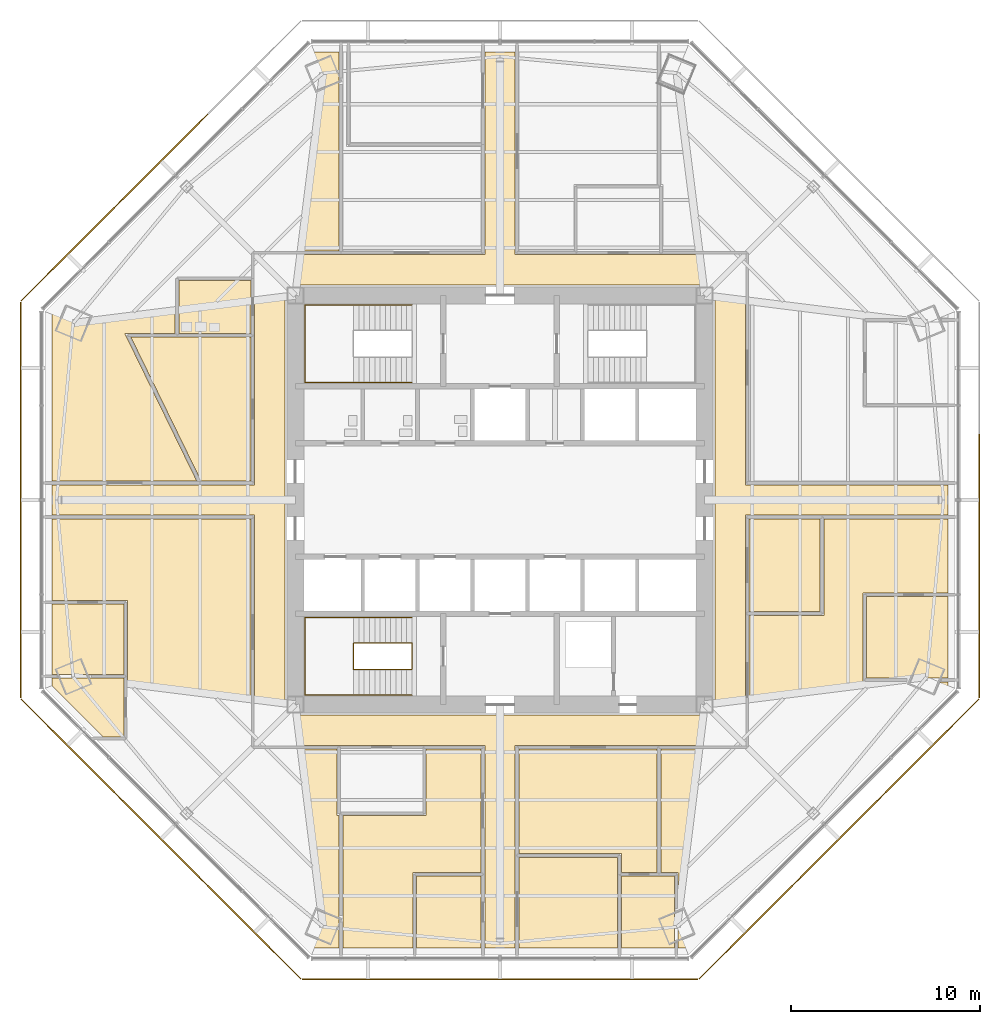
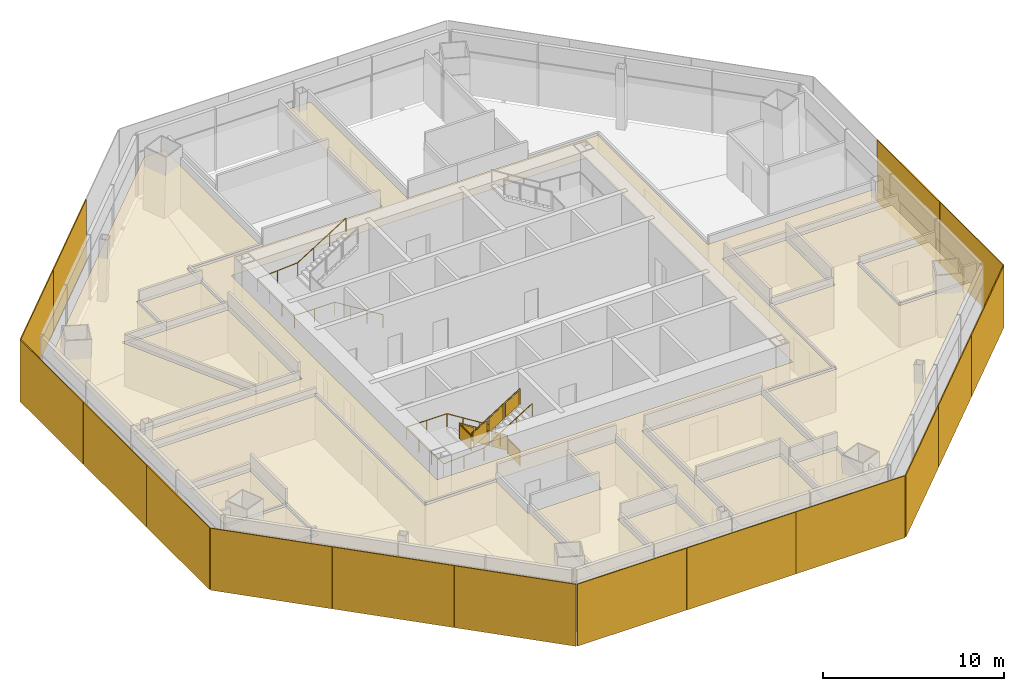
# One storey, part 12 of 14: 16 shading devices, 15 coverings, 3 railings.
"""IFC4 building model written with IfcOpenShell, lengths in metres."""

from ifc_helpers import new_model, si_unit, direction, frame, origin, origin_2d, place, context, subcontext, project, spatial, polyline, rectangle, circle, outline, extrude, source, transform, mapped, material, layer, layer_set, type_object, type_shapes, element, save


model = new_model("IFC4")

# Units and contexts
model_context = context("Model", 3, precision=1e-05, world=origin(), true_north=direction((0.0, 1.0)))
body_context = subcontext(model_context, "Body", "Model", "MODEL_VIEW")
ifc_project = project(units=[si_unit("LENGTHUNIT", "METRE"), si_unit("AREAUNIT", "SQUARE_METRE"), si_unit("VOLUMEUNIT", "CUBIC_METRE"), si_unit("PLANEANGLEUNIT", "RADIAN"), si_unit("MASSUNIT", "GRAM", prefix="KILO")], contexts=[model_context])

# Site, building, storey
site_placement = place(None, origin())
site = spatial("IfcSite", under=ifc_project, at=site_placement, CompositionType="ELEMENT")
building_placement = place(site_placement, origin())
building = spatial("IfcBuilding", under=site, at=building_placement, Name="Mashrafa Tower", CompositionType="ELEMENT")
storey_placement = place(building_placement, frame((0.0, 0.0, 134.39990234375)))
storey = spatial("IfcBuildingStorey", under=building, at=storey_placement, Name="L30", CompositionType="ELEMENT", Elevation=134.39990234375)

# Railings
ifc_material_1 = material(Name="Steel guard with glass infill", Category="steel")
railing_type_1 = type_object("IfcRailingType", Name="Stair guard 1100", PredefinedType="GUARDRAIL", material=ifc_material_1)
railing_1_placement = place(storey_placement, frame((-4.64990234375, -8.949951171875, 0.0)))
element("IfcRailing", 1, at=railing_1_placement, inside=storey, type_object=railing_type_1, Name="Stair S3 guard L30", PredefinedType="GUARDRAIL", context=body_context, shape_type="SweptSolid", body=[
    extrude(circle(Radius=0.02392578125, at=origin_2d()), frame((0.0, 0.0, 1.076171875), z_axis=(0.0, 1.0, 0.0), x_axis=(-1.0, 0.0, 0.0)), (0.0, 0.0, 1.0), 1.39990234375),
    extrude(circle(Radius=0.02392578125, at=origin_2d()), frame((0.0, 1.39990234375, 1.076171875), z_axis=(0.0, 0.0, 1.0), x_axis=(1.0, 0.0, 0.0)), (0.0, 0.0, 1.0), 0.175048828125),
    extrude(circle(Radius=0.02392578125, at=origin_2d()), frame((0.0, 1.39990234375, 1.2509765625), z_axis=(-0.847998304005, 0.0, 0.529998940003), x_axis=(0.0, -1.0, 0.0)), (0.0, 0.0, 1.0), 3.632080078125),
    extrude(circle(Radius=0.02392578125, at=origin_2d()), frame((-3.080078125, 1.39990234375, 3.17626953125), z_axis=(0.0, -1.0, 0.0), x_axis=(1.0, 0.0, 0.0)), (0.0, 0.0, 1.0), 1.39990234375),
    extrude(circle(Radius=0.02392578125, at=origin_2d()), frame((-3.080078125, 0.0, 3.17626953125), z_axis=(0.0, 0.0, 1.0), x_axis=(1.0, 0.0, 0.0)), (0.0, 0.0, 1.0), 0.175048828125),
    extrude(circle(Radius=0.02392578125, at=origin_2d()), frame((-3.080078125, 0.0, 3.35107421875), z_axis=(0.847998304005, 0.0, 0.529998940003), x_axis=(0.0, 1.0, 0.0)), (0.0, 0.0, 1.0), 3.632080078125),
    extrude(circle(Radius=0.02099609375, at=origin_2d()), origin(), (0.0, 0.0, 1.0), 1.052001953125),
    extrude(circle(Radius=0.02099609375, at=origin_2d()), frame((0.0, 1.39990234375, 0.0)), (0.0, 0.0, 1.0), 1.052001953125),
    extrude(circle(Radius=0.02099609375, at=origin_2d()), frame((0.0, 1.39990234375, 0.175048828125)), (0.0, 0.0, 1.0), 1.052001953125),
    extrude(circle(Radius=0.02099609375, at=origin_2d()), frame((-1.026611328125, 1.39990234375, 0.816650390625)), (0.0, 0.0, 1.0), 1.052001953125),
    extrude(circle(Radius=0.02099609375, at=origin_2d()), frame((-2.053466796875, 1.39990234375, 1.45849609375)), (0.0, 0.0, 1.0), 1.052001953125),
    extrude(circle(Radius=0.02099609375, at=origin_2d()), frame((-3.080078125, 1.39990234375, 2.10009765625)), (0.0, 0.0, 1.0), 1.052001953125),
    extrude(circle(Radius=0.02099609375, at=origin_2d()), frame((-3.080078125, 0.0, 2.10009765625)), (0.0, 0.0, 1.0), 1.052001953125),
    extrude(circle(Radius=0.02099609375, at=origin_2d()), frame((-3.080078125, 0.0, 2.275146484375)), (0.0, 0.0, 1.0), 1.052001953125),
    extrude(circle(Radius=0.02099609375, at=origin_2d()), frame((-2.053466796875, 0.0, 2.916748046875)), (0.0, 0.0, 1.0), 1.052001953125),
    extrude(circle(Radius=0.02099609375, at=origin_2d()), frame((-1.026611328125, 0.0, 3.55859375)), (0.0, 0.0, 1.0), 1.052001953125),
    extrude(circle(Radius=0.02099609375, at=origin_2d()), frame((0.0, 0.0, 4.2001953125)), (0.0, 0.0, 1.0), 1.052001953125),
    extrude(outline(polyline([(0.071044921875, 0.050048828125), (1.328857421875, 0.050048828125), (1.328857421875, 1.001953125), (0.071044921875, 1.001953125), (0.071044921875, 0.050048828125)])), frame((0.006103515625, 0.0, 0.0), z_axis=(1.0, 0.0, 0.0), x_axis=(0.0, 1.0, 0.0)), (0.0, 0.0, 1.0), 0.011962890625),
    extrude(outline(polyline([(0.071044921875, 0.094482421875), (0.955810546875, 0.647216796875), (0.955810546875, 1.599365234375), (0.071044921875, 1.04638671875), (0.071044921875, 0.094482421875)])), frame((0.0, 1.406005859375, 0.175048828125), z_axis=(0.0, 1.0, 0.0), x_axis=(-1.0, 0.0, 0.0)), (0.0, 0.0, 1.0), 0.011962890625),
    extrude(outline(polyline([(1.09765625, 0.736083984375), (1.982421875, 1.2890625), (1.982421875, 2.240966796875), (1.09765625, 1.68798828125), (1.09765625, 0.736083984375)])), frame((0.0, 1.406005859375, 0.175048828125), z_axis=(0.0, 1.0, 0.0), x_axis=(-1.0, 0.0, 0.0)), (0.0, 0.0, 1.0), 0.011962890625),
    extrude(outline(polyline([(2.124267578125, 1.377685546875), (3.009033203125, 1.9306640625), (3.009033203125, 2.882568359375), (2.124267578125, 2.329833984375), (2.124267578125, 1.377685546875)])), frame((0.0, 1.406005859375, 0.175048828125), z_axis=(0.0, 1.0, 0.0), x_axis=(-1.0, 0.0, 0.0)), (0.0, 0.0, 1.0), 0.011962890625),
    extrude(outline(polyline([(0.071044921875, 0.050048828125), (1.328857421875, 0.050048828125), (1.328857421875, 1.001953125), (0.071044921875, 1.001953125), (0.071044921875, 0.050048828125)])), frame((-3.086181640625, 1.39990234375, 2.10009765625), z_axis=(-1.0, 0.0, 0.0), x_axis=(0.0, -1.0, 0.0)), (0.0, 0.0, 1.0), 0.011962890625),
    extrude(outline(polyline([(0.071044921875, 0.094482421875), (0.955810546875, 0.647216796875), (0.955810546875, 1.599365234375), (0.071044921875, 1.04638671875), (0.071044921875, 0.094482421875)])), frame((-3.080078125, -0.006103515625, 2.275146484375), z_axis=(0.0, -1.0, 0.0), x_axis=(1.0, 0.0, 0.0)), (0.0, 0.0, 1.0), 0.011962890625),
    extrude(outline(polyline([(1.09765625, 0.736083984375), (1.982421875, 1.2890625), (1.982421875, 2.240966796875), (1.09765625, 1.68798828125), (1.09765625, 0.736083984375)])), frame((-3.080078125, -0.006103515625, 2.275146484375), z_axis=(0.0, -1.0, 0.0), x_axis=(1.0, 0.0, 0.0)), (0.0, 0.0, 1.0), 0.011962890625),
    extrude(outline(polyline([(2.124267578125, 1.377685546875), (3.009033203125, 1.9306640625), (3.009033203125, 2.882568359375), (2.124267578125, 2.329833984375), (2.124267578125, 1.377685546875)])), frame((-3.080078125, -0.006103515625, 2.275146484375), z_axis=(0.0, -1.0, 0.0), x_axis=(1.0, 0.0, 0.0)), (0.0, 0.0, 1.0), 0.011962890625),
])
ifc_material_2 = material(Name="Steel", Category="steel")
railing_type_2 = type_object("IfcRailingType", Name="Stair handrail 900", PredefinedType="HANDRAIL", material=ifc_material_2)
railing_2_placement = place(storey_placement, frame((-4.64990234375, 6.199951171875, 0.175048828125)))
element("IfcRailing", 2, at=railing_2_placement, inside=storey, type_object=railing_type_2, Name="Stair S1 handrail L30", PredefinedType="HANDRAIL", context=body_context, shape_type="SweptSolid", body=[
    extrude(circle(Radius=0.02392578125, at=origin_2d()), frame((0.0, 0.0, 0.8759765625), z_axis=(-0.847998304005, 0.0, 0.529998940003), x_axis=(0.0, -1.0, 0.0)), (0.0, 0.0, 1.0), 3.632080078125),
    extrude(circle(Radius=0.02392578125, at=origin_2d()), frame((-3.080078125, 0.0, 2.80078125), z_axis=(-1.0, 0.0, 0.0), x_axis=(0.0, -1.0, 0.0)), (0.0, 0.0, 1.0), 2.570068359375),
    extrude(circle(Radius=0.02392578125, at=origin_2d()), frame((-5.650146484375, 0.0, 2.80078125), z_axis=(0.0, 1.0, 0.0), x_axis=(-1.0, 0.0, 0.0)), (0.0, 0.0, 1.0), 4.10009765625),
    extrude(circle(Radius=0.02392578125, at=origin_2d()), frame((-5.650146484375, 4.10009765625, 2.80078125), z_axis=(0.997688514158, 0.0, 0.067953136188), x_axis=(0.0, 1.0, 0.0)), (0.0, 0.0, 1.0), 2.575927734375),
    extrude(circle(Radius=0.02392578125, at=origin_2d()), frame((-3.080078125, 4.10009765625, 2.97607421875), z_axis=(0.847998304005, 0.0, 0.529998940003), x_axis=(0.0, 1.0, 0.0)), (0.0, 0.0, 1.0), 3.632080078125),
    extrude(circle(Radius=0.02099609375, at=origin_2d()), origin(), (0.0, 0.0, 1.0), 0.851806640625),
    extrude(circle(Radius=0.02099609375, at=origin_2d()), frame((-1.026611328125, 0.0, 0.6416015625)), (0.0, 0.0, 1.0), 0.851806640625),
    extrude(circle(Radius=0.02099609375, at=origin_2d()), frame((-2.053466796875, 0.0, 1.283447265625)), (0.0, 0.0, 1.0), 0.851806640625),
    extrude(circle(Radius=0.02099609375, at=origin_2d()), frame((-3.080078125, 0.0, 1.925048828125)), (0.0, 0.0, 1.0), 0.851806640625),
    extrude(circle(Radius=0.02099609375, at=origin_2d()), frame((-4.365234375, 0.0, 1.925048828125)), (0.0, 0.0, 1.0), 0.851806640625),
    extrude(circle(Radius=0.02099609375, at=origin_2d()), frame((-5.650146484375, 0.0, 1.925048828125)), (0.0, 0.0, 1.0), 0.851806640625),
    extrude(circle(Radius=0.02099609375, at=origin_2d()), frame((-5.650146484375, 1.36669921875, 1.925048828125)), (0.0, 0.0, 1.0), 0.851806640625),
    extrude(circle(Radius=0.02099609375, at=origin_2d()), frame((-5.650146484375, 2.7333984375, 1.925048828125)), (0.0, 0.0, 1.0), 0.851806640625),
    extrude(circle(Radius=0.02099609375, at=origin_2d()), frame((-5.650146484375, 4.10009765625, 1.925048828125)), (0.0, 0.0, 1.0), 0.851806640625),
    extrude(circle(Radius=0.02099609375, at=origin_2d()), frame((-4.365234375, 4.10009765625, 2.0126953125)), (0.0, 0.0, 1.0), 0.851806640625),
    extrude(circle(Radius=0.02099609375, at=origin_2d()), frame((-3.080078125, 4.10009765625, 2.10009765625)), (0.0, 0.0, 1.0), 0.851806640625),
    extrude(circle(Radius=0.02099609375, at=origin_2d()), frame((-2.053466796875, 4.10009765625, 2.74169921875)), (0.0, 0.0, 1.0), 0.851806640625),
    extrude(circle(Radius=0.02099609375, at=origin_2d()), frame((-1.026611328125, 4.10009765625, 3.383544921875)), (0.0, 0.0, 1.0), 0.851806640625),
    extrude(circle(Radius=0.02099609375, at=origin_2d()), frame((0.0, 4.10009765625, 4.025146484375)), (0.0, 0.0, 1.0), 0.851806640625),
])
railing_3_placement = place(storey_placement, frame((-4.64990234375, -6.199951171875, 0.175048828125)))
element("IfcRailing", 3, at=railing_3_placement, inside=storey, type_object=railing_type_2, Name="Stair S3 handrail L30", PredefinedType="HANDRAIL", context=body_context, shape_type="SweptSolid", body=[
    extrude(circle(Radius=0.02392578125, at=origin_2d()), frame((0.0, 0.0, 0.8759765625), z_axis=(-0.847998304005, 0.0, 0.529998940003), x_axis=(0.0, -1.0, 0.0)), (0.0, 0.0, 1.0), 3.632080078125),
    extrude(circle(Radius=0.02392578125, at=origin_2d()), frame((-3.080078125, 0.0, 2.80078125), z_axis=(-1.0, 0.0, 0.0), x_axis=(0.0, -1.0, 0.0)), (0.0, 0.0, 1.0), 2.570068359375),
    extrude(circle(Radius=0.02392578125, at=origin_2d()), frame((-5.650146484375, 0.0, 2.80078125), z_axis=(0.0, -1.0, 0.0), x_axis=(1.0, 0.0, 0.0)), (0.0, 0.0, 1.0), 4.10009765625),
    extrude(circle(Radius=0.02392578125, at=origin_2d()), frame((-5.650146484375, -4.10009765625, 2.80078125), z_axis=(0.997688514158, 0.0, 0.067953136188), x_axis=(0.0, 1.0, 0.0)), (0.0, 0.0, 1.0), 2.575927734375),
    extrude(circle(Radius=0.02392578125, at=origin_2d()), frame((-3.080078125, -4.10009765625, 2.97607421875), z_axis=(0.847998304005, 0.0, 0.529998940003), x_axis=(0.0, 1.0, 0.0)), (0.0, 0.0, 1.0), 3.632080078125),
    extrude(circle(Radius=0.02099609375, at=origin_2d()), origin(), (0.0, 0.0, 1.0), 0.851806640625),
    extrude(circle(Radius=0.02099609375, at=origin_2d()), frame((-1.026611328125, 0.0, 0.6416015625)), (0.0, 0.0, 1.0), 0.851806640625),
    extrude(circle(Radius=0.02099609375, at=origin_2d()), frame((-2.053466796875, 0.0, 1.283447265625)), (0.0, 0.0, 1.0), 0.851806640625),
    extrude(circle(Radius=0.02099609375, at=origin_2d()), frame((-3.080078125, 0.0, 1.925048828125)), (0.0, 0.0, 1.0), 0.851806640625),
    extrude(circle(Radius=0.02099609375, at=origin_2d()), frame((-4.365234375, 0.0, 1.925048828125)), (0.0, 0.0, 1.0), 0.851806640625),
    extrude(circle(Radius=0.02099609375, at=origin_2d()), frame((-5.650146484375, 0.0, 1.925048828125)), (0.0, 0.0, 1.0), 0.851806640625),
    extrude(circle(Radius=0.02099609375, at=origin_2d()), frame((-5.650146484375, -1.36669921875, 1.925048828125)), (0.0, 0.0, 1.0), 0.851806640625),
    extrude(circle(Radius=0.02099609375, at=origin_2d()), frame((-5.650146484375, -2.7333984375, 1.925048828125)), (0.0, 0.0, 1.0), 0.851806640625),
    extrude(circle(Radius=0.02099609375, at=origin_2d()), frame((-5.650146484375, -4.10009765625, 1.925048828125)), (0.0, 0.0, 1.0), 0.851806640625),
    extrude(circle(Radius=0.02099609375, at=origin_2d()), frame((-4.365234375, -4.10009765625, 2.0126953125)), (0.0, 0.0, 1.0), 0.851806640625),
    extrude(circle(Radius=0.02099609375, at=origin_2d()), frame((-3.080078125, -4.10009765625, 2.10009765625)), (0.0, 0.0, 1.0), 0.851806640625),
    extrude(circle(Radius=0.02099609375, at=origin_2d()), frame((-2.053466796875, -4.10009765625, 2.74169921875)), (0.0, 0.0, 1.0), 0.851806640625),
    extrude(circle(Radius=0.02099609375, at=origin_2d()), frame((-1.026611328125, -4.10009765625, 3.383544921875)), (0.0, 0.0, 1.0), 0.851806640625),
    extrude(circle(Radius=0.02099609375, at=origin_2d()), frame((0.0, -4.10009765625, 4.025146484375)), (0.0, 0.0, 1.0), 0.851806640625),
])

# Coverings
ifc_material_3 = material(Name="Mineral fibre tile on suspension grid")
ifc_layer_1 = layer(ifc_material_3, 0.014892578125)
ifc_layer_set_1 = layer_set([ifc_layer_1], Name="Suspended ceiling mineral tile 15")
covering_type = type_object("IfcCoveringType", Name="Suspended ceiling mineral tile 15", PredefinedType="CEILING", material=ifc_layer_set_1)
covering_1_placement = place(storey_placement, frame((0.0, 0.0, 2.900146484375)))
element("IfcCovering", 4, at=covering_1_placement, inside=storey, type_object=covering_type, Name="Ceiling Office Corridor L30", PredefinedType="CEILING", context=body_context, shape_type="SweptSolid", body=[
    extrude(outline(polyline([(-12.949951171875, -12.949951171875), (-12.949951171875, -0.800048828125), (-23.66259765625, -0.800048828125), (-23.66259765625, 0.800048828125), (-12.949951171875, 0.800048828125), (-12.949951171875, 12.949951171875), (-0.800048828125, 12.949951171875), (-0.800048828125, 23.66259765625), (0.800048828125, 23.66259765625), (0.800048828125, 12.949951171875), (12.949951171875, 12.949951171875), (12.949951171875, 0.800048828125), (23.66259765625, 0.800048828125), (23.66259765625, -0.800048828125), (12.949951171875, -0.800048828125), (12.949951171875, -12.949951171875), (0.800048828125, -12.949951171875), (0.800048828125, -23.66259765625), (-0.800048828125, -23.66259765625), (-0.800048828125, -12.949951171875), (-12.949951171875, -12.949951171875)]), holes=[polyline([(11.35009765625, 11.35009765625), (-11.35009765625, 11.35009765625), (-11.35009765625, -11.35009765625), (11.35009765625, -11.35009765625), (11.35009765625, 11.35009765625)])]), origin(), (0.0, 0.0, 1.0), 0.014892578125),
])
covering_2_placement = place(storey_placement, frame((0.0, 0.0, 2.900146484375)))
element("IfcCovering", 5, at=covering_2_placement, inside=storey, type_object=covering_type, Name="Ceiling Musallah Prayer Room 30", PredefinedType="CEILING", context=body_context, shape_type="SweptSolid", body=[
    extrude(outline(polyline([(-15.783203125, 1.0), (-19.489990234375, 8.60009765625), (-13.14990234375, 8.60009765625), (-13.14990234375, 1.0), (-15.783203125, 1.0)])), origin(), (0.0, 0.0, 1.0), 0.014892578125),
])
covering_3_placement = place(storey_placement, frame((0.0, 0.0, 2.900146484375)))
element("IfcCovering", 6, at=covering_3_placement, inside=storey, type_object=covering_type, Name="Ceiling Ablution Room L30", PredefinedType="CEILING", context=body_context, shape_type="SweptSolid", body=[
    extrude(outline(polyline([(-16.949951171875, 8.800048828125), (-16.949951171875, 11.60009765625), (-13.14990234375, 11.60009765625), (-13.14990234375, 8.800048828125), (-16.949951171875, 8.800048828125)])), origin(), (0.0, 0.0, 1.0), 0.014892578125),
])
covering_4_placement = place(storey_placement, frame((0.0, 0.0, 2.900146484375)))
element("IfcCovering", 7, at=covering_4_placement, inside=storey, type_object=covering_type, Name="Ceiling Reception 30-S", PredefinedType="CEILING", context=body_context, shape_type="SweptSolid", body=[
    extrude(outline(polyline([(13.14990234375, -1.0), (16.89990234375, -1.0), (16.89990234375, -5.89990234375), (13.14990234375, -5.89990234375), (13.14990234375, -1.0)])), origin(), (0.0, 0.0, 1.0), 0.014892578125),
])
covering_5_placement = place(storey_placement, frame((0.0, 0.0, 2.900146484375)))
element("IfcCovering", 8, at=covering_5_placement, inside=storey, type_object=covering_type, Name="Ceiling Meeting Room 30-S-SE1", PredefinedType="CEILING", context=body_context, shape_type="SweptSolid", body=[
    extrude(outline(polyline([(19.36279296875, -5.10009765625), (23.66259765625, -5.10009765625), (23.66259765625, -9.39990234375), (19.36279296875, -9.39990234375), (19.36279296875, -5.10009765625)])), origin(), (0.0, 0.0, 1.0), 0.014892578125),
])
covering_6_placement = place(storey_placement, frame((0.0, 0.0, 2.900146484375)))
element("IfcCovering", 9, at=covering_6_placement, inside=storey, type_object=covering_type, Name="Ceiling Training Room 30-S", PredefinedType="CEILING", context=body_context, shape_type="SweptSolid", body=[
    extrude(outline(polyline([(1.0, -18.86279296875), (6.208984375, -18.86279296875), (6.208984375, -23.66259765625), (1.0, -23.66259765625), (1.0, -18.86279296875)])), origin(), (0.0, 0.0, 1.0), 0.014892578125),
])
covering_7_placement = place(storey_placement, frame((0.0, 0.0, 2.900146484375)))
element("IfcCovering", 10, at=covering_7_placement, inside=storey, type_object=covering_type, Name="Ceiling Interview Room 30-S-SE2", PredefinedType="CEILING", context=body_context, shape_type="SweptSolid", body=[
    extrude(outline(polyline([(6.408935546875, -19.86279296875), (9.208984375, -19.86279296875), (9.208984375, -23.66259765625), (6.408935546875, -23.66259765625), (6.408935546875, -19.86279296875)])), origin(), (0.0, 0.0, 1.0), 0.014892578125),
])
covering_8_placement = place(storey_placement, frame((0.0, 0.0, 2.900146484375)))
element("IfcCovering", 11, at=covering_8_placement, inside=storey, type_object=covering_type, Name="Ceiling Huddle Room 30-S", PredefinedType="CEILING", context=body_context, shape_type="SweptSolid", body=[
    extrude(outline(polyline([(-4.39990234375, -19.86279296875), (-1.0, -19.86279296875), (-1.0, -23.66259765625), (-4.39990234375, -23.66259765625), (-4.39990234375, -19.86279296875)])), origin(), (0.0, 0.0, 1.0), 0.014892578125),
])
covering_9_placement = place(storey_placement, frame((0.0, 0.0, 2.900146484375)))
element("IfcCovering", 12, at=covering_9_placement, inside=storey, type_object=covering_type, Name="Ceiling Office 30-S-SW1-1", PredefinedType="CEILING", context=body_context, shape_type="SweptSolid", body=[
    extrude(outline(polyline([(-19.86279296875, -5.5), (-19.86279296875, -9.208984375), (-23.66259765625, -9.208984375), (-23.66259765625, -5.5), (-19.86279296875, -5.5)])), origin(), (0.0, 0.0, 1.0), 0.014892578125),
])
covering_10_placement = place(storey_placement, frame((0.0, 0.0, 2.900146484375)))
element("IfcCovering", 13, at=covering_10_placement, inside=storey, type_object=covering_type, Name="Ceiling Office 30-S-SW1-2", PredefinedType="CEILING", context=body_context, shape_type="SweptSolid", body=[
    extrude(outline(polyline([(-19.86279296875, -9.408935546875), (-19.86279296875, -12.5), (-20.964111328125, -12.5), (-23.66259765625, -9.801513671875), (-23.66259765625, -9.408935546875), (-19.86279296875, -9.408935546875)])), origin(), (0.0, 0.0, 1.0), 0.014892578125),
])
covering_11_placement = place(storey_placement, frame((0.0, 0.0, 2.900146484375)))
element("IfcCovering", 14, at=covering_11_placement, inside=storey, type_object=covering_type, Name="Ceiling Office Tenancy 30-N-NW1", PredefinedType="CEILING", context=body_context, shape_type="SweptSolid", body=[
    extrude(outline(polyline([(-23.66259765625, 1.0), (-23.66259765625, 9.801513671875), (-9.801513671875, 23.66259765625), (-8.5, 23.66259765625), (-8.5, 13.14990234375), (-13.14990234375, 13.14990234375), (-13.14990234375, 11.800048828125), (-17.14990234375, 11.800048828125), (-17.14990234375, 8.800048828125), (-19.81005859375, 8.800048828125), (-16.005615234375, 1.0), (-23.66259765625, 1.0)])), origin(), (0.0, 0.0, 1.0), 0.014892578125),
])
covering_12_placement = place(storey_placement, frame((0.0, 0.0, 2.900146484375)))
element("IfcCovering", 15, at=covering_12_placement, inside=storey, type_object=covering_type, Name="Ceiling Office Tenancy 30-S-SW1", PredefinedType="CEILING", context=body_context, shape_type="SweptSolid", body=[
    extrude(outline(polyline([(-9.801513671875, -23.66259765625), (-20.76416015625, -12.699951171875), (-19.66259765625, -12.699951171875), (-19.66259765625, -5.300048828125), (-23.66259765625, -5.300048828125), (-23.66259765625, -1.0), (-13.14990234375, -1.0), (-13.14990234375, -13.14990234375), (-8.60009765625, -13.14990234375), (-8.60009765625, -16.64990234375), (-8.5, -16.64990234375), (-8.5, -23.66259765625), (-9.801513671875, -23.66259765625)])), origin(), (0.0, 0.0, 1.0), 0.014892578125),
])
covering_13_placement = place(storey_placement, frame((0.0, 0.0, 2.900146484375)))
element("IfcCovering", 16, at=covering_13_placement, inside=storey, type_object=covering_type, Name="Ceiling Office Tenancy 30-S-SW2", PredefinedType="CEILING", context=body_context, shape_type="SweptSolid", body=[
    extrude(outline(polyline([(-4.60009765625, -23.66259765625), (-8.300048828125, -23.66259765625), (-8.300048828125, -16.64990234375), (-3.89990234375, -16.64990234375), (-3.89990234375, -13.14990234375), (-1.0, -13.14990234375), (-1.0, -19.66259765625), (-4.60009765625, -19.66259765625), (-4.60009765625, -23.66259765625)])), origin(), (0.0, 0.0, 1.0), 0.014892578125),
])
covering_14_placement = place(storey_placement, frame((0.0, 0.0, 2.900146484375)))
element("IfcCovering", 17, at=covering_14_placement, inside=storey, type_object=covering_type, Name="Ceiling Office Tenancy 30-S-SE1", PredefinedType="CEILING", context=body_context, shape_type="SweptSolid", body=[
    extrude(outline(polyline([(23.66259765625, -1.0), (23.66259765625, -4.89990234375), (19.16259765625, -4.89990234375), (19.16259765625, -9.60009765625), (23.66259765625, -9.60009765625), (23.66259765625, -9.801513671875), (9.801513671875, -23.66259765625), (9.408935546875, -23.66259765625), (9.408935546875, -19.66259765625), (8.5, -19.66259765625), (8.5, -13.14990234375), (13.14990234375, -13.14990234375), (13.14990234375, -6.10009765625), (17.10009765625, -6.10009765625), (17.10009765625, -1.0), (23.66259765625, -1.0)])), origin(), (0.0, 0.0, 1.0), 0.014892578125),
])
covering_15_placement = place(storey_placement, frame((0.0, 0.0, 2.900146484375)))
element("IfcCovering", 18, at=covering_15_placement, inside=storey, type_object=covering_type, Name="Ceiling Office Tenancy 30-S-SE2", PredefinedType="CEILING", context=body_context, shape_type="SweptSolid", body=[
    extrude(outline(polyline([(8.300048828125, -13.14990234375), (8.300048828125, -19.66259765625), (6.408935546875, -19.66259765625), (6.408935546875, -18.66259765625), (1.0, -18.66259765625), (1.0, -13.14990234375), (8.300048828125, -13.14990234375)])), origin(), (0.0, 0.0, 1.0), 0.014892578125),
])

# Shading devices
ifc_material_4 = material(Name="Perforated aluminium plate, eight-point star pattern", Category="aluminium")
ifc_layer_2 = layer(ifc_material_4, 0.06005859375)
ifc_layer_set_2 = layer_set([ifc_layer_2], Name="Mashrabiya screen panel office zone 2, 40 percent open")
shading_device_type = type_object("IfcShadingDeviceType", Name="Mashrabiya screen panel office zone 2, 40 percent open", PredefinedType="SHUTTER", material=ifc_layer_set_2)
shared_shape = source(origin(), body_context, "Body", "SweptSolid", [
    extrude(rectangle(XDim=6.955078125, YDim=0.06005859375, at=origin_2d()), origin(), (0.0, 0.0, 1.0), 4.179931640625),
])
type_shapes(shading_device_type, [shared_shape])
for number, where, z_axis, x_axis, name in (
    (19, (25.312744140625, -6.974853515625, -0.14990234375), (0.0, 0.0, 1.0), (0.0, 1.0, 0.0), "Mashrabiya screen L30 east 1"),
    (20, (25.312744140625, 0.0, -0.14990234375), (0.0, 0.0, 1.0), (0.0, 1.0, 0.0), "Mashrabiya screen L30 east 2"),
    (21, (-17.898681640625, 17.898681640625, -0.14990234375), (0.0, 0.0, 1.0), (-0.707106781187, -0.707106781187, 0.0), "Mashrabiya screen L30 north-west 2"),
    (22, (-22.830810546875, 12.966796875, -0.14990234375), (0.0, 0.0, 1.0), (-0.707106781187, -0.707106781187, 0.0), "Mashrabiya screen L30 north-west 3"),
    (23, (-25.312744140625, 6.974853515625, -0.14990234375), (0.0, 0.0, 1.0), (0.0, -1.0, 0.0), "Mashrabiya screen L30 west 1"),
    (24, (-25.312744140625, 0.0, -0.14990234375), (0.0, 0.0, 1.0), (0.0, -1.0, 0.0), "Mashrabiya screen L30 west 2"),
    (25, (-25.312744140625, -6.974853515625, -0.14990234375), (0.0, 0.0, 1.0), (0.0, -1.0, 0.0), "Mashrabiya screen L30 west 3"),
    (26, (-22.830810546875, -12.966796875, -0.14990234375), (0.0, 0.0, 1.0), (0.707106781187, -0.707106781187, 0.0), "Mashrabiya screen L30 south-west 1"),
    (27, (-17.898681640625, -17.898681640625, -0.14990234375), (0.0, 0.0, 1.0), (0.707106781187, -0.707106781187, 0.0), "Mashrabiya screen L30 south-west 2"),
    (28, (-12.966796875, -22.830810546875, -0.14990234375), (0.0, 0.0, 1.0), (0.707106781187, -0.707106781187, 0.0), "Mashrabiya screen L30 south-west 3"),
    (29, (-6.974853515625, -25.312744140625, -0.14990234375), (0.0, 0.0, 1.0), (1.0, 0.0, 0.0), "Mashrabiya screen L30 south 1"),
    (30, (0.0, -25.312744140625, -0.14990234375), (0.0, 0.0, 1.0), (1.0, 0.0, 0.0), "Mashrabiya screen L30 south 2"),
    (31, (6.974853515625, -25.312744140625, -0.14990234375), (0.0, 0.0, 1.0), (1.0, 0.0, 0.0), "Mashrabiya screen L30 south 3"),
    (32, (12.966796875, -22.830810546875, -0.14990234375), (0.0, 0.0, 1.0), (0.707106781187, 0.707106781187, 0.0), "Mashrabiya screen L30 south-east 1"),
    (33, (17.898681640625, -17.898681640625, -0.14990234375), (0.0, 0.0, 1.0), (0.707106781187, 0.707106781187, 0.0), "Mashrabiya screen L30 south-east 2"),
    (34, (22.830810546875, -12.966796875, -0.14990234375), (0.0, 0.0, 1.0), (0.707106781187, 0.707106781187, 0.0), "Mashrabiya screen L30 south-east 3"),
):
    element("IfcShadingDevice", number, at=place(storey_placement, frame(where, z_axis=z_axis, x_axis=x_axis)), inside=storey, type_object=shading_device_type, Name=name, PredefinedType="SHUTTER", context=body_context, shape_type="MappedRepresentation", body=[
        mapped(shared_shape, transform((0.0, 0.0, 0.0))),
    ])

save(model, "model.ifc")
